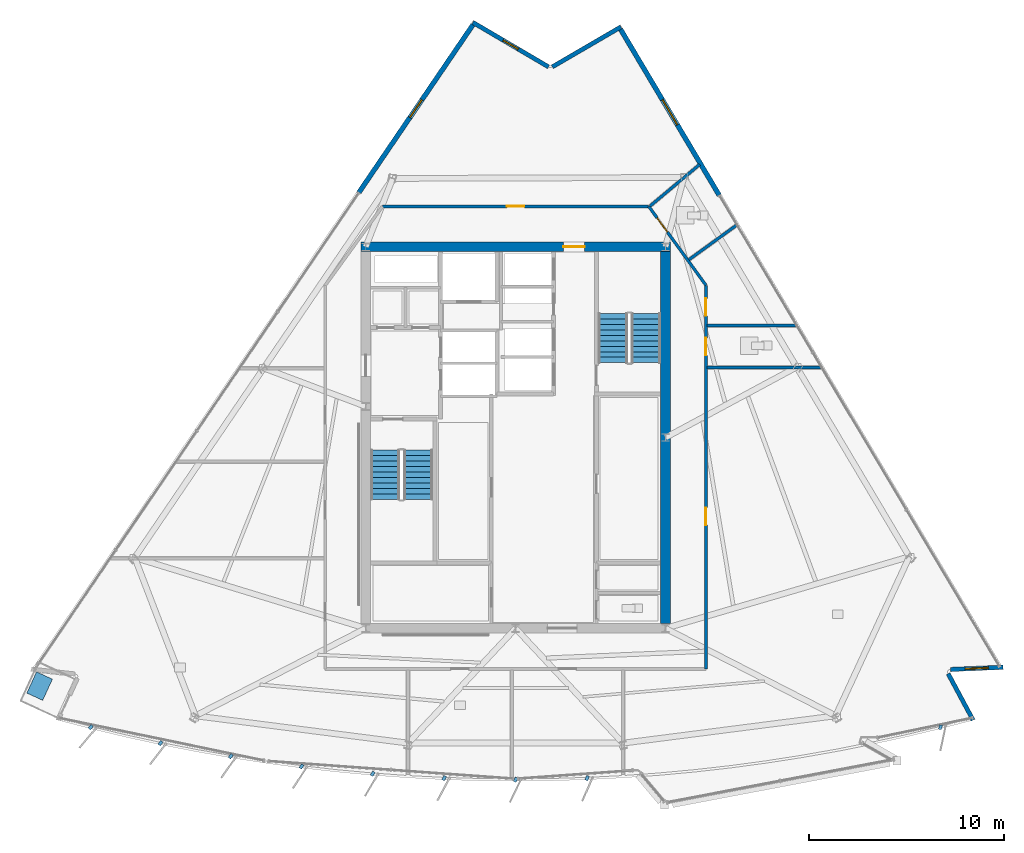
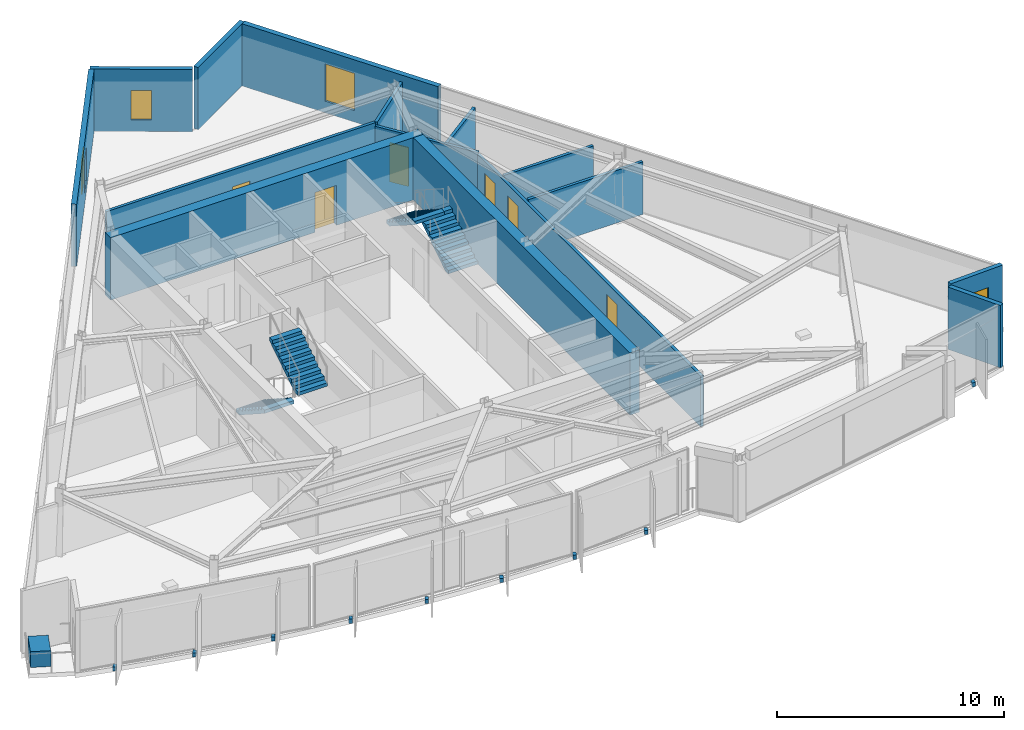
# One storey, part 9 of 14: 15 walls, 10 discrete accessories, 6 doors, 4 stair flights, 4 windows, 10 openings, 2 elements without a shape of their own.
"""IFC4 building model written with IfcOpenShell, lengths in metres."""

import ifcopenshell
import ifcopenshell.guid

model = None  # the IFC model being written
_history = None  # IfcOwnerHistory: only IFC2X3 demands one
_inside = {}  # id of a spatial element -> (the spatial element, [elements in it])
_under = {}  # id of a project, library or spatial element -> (it, [spatial elements below it])
_declared = {}  # id of a project -> (the project, [libraries it declares])
_typed = {}  # id of a type object -> (the type object, [elements of that type])
_made_of = {}  # id of a material, layer set ... -> (it, [elements and type objects made of it])


def new_model(schema):
    """Start an empty IFC model of exactly this schema.

    Asked for "IFC4X3", IfcOpenShell would pick the latest addendum, in which some entities
    have other attributes; the version numbers below select the first issue.
    IFC2X3 requires an IfcOwnerHistory on every rooted entity: one is made here for all.
    """
    global model, _history
    if schema == "IFC4X3":
        model = ifcopenshell.file(schema_version=(4, 3, 0, 0))
    else:
        model = ifcopenshell.file(schema=schema)
    _inside.clear()
    _under.clear()
    _declared.clear()
    _typed.clear()
    _made_of.clear()
    _history = None
    if model.schema == "IFC2X3":
        org = make("IfcOrganization", Name="unknown")
        user = make(
            "IfcPersonAndOrganization",
            ThePerson=make("IfcPerson", FamilyName="unknown"),
            TheOrganization=org,
        )
        app = make(
            "IfcApplication",
            ApplicationDeveloper=org,
            Version="unknown",
            ApplicationFullName="unknown",
            ApplicationIdentifier="unknown",
        )
        _history = make(
            "IfcOwnerHistory",
            OwningUser=user,
            OwningApplication=app,
            ChangeAction="ADDED",
            CreationDate=0,
        )
    return model


def make(cls, **values):
    """One entity of the class cls with the attributes given. An attribute that is None is left unset."""
    return model.create_entity(
        cls, **{name: value for name, value in values.items() if value is not None}
    )


def rooted(cls, **values):
    """An entity with a GlobalId (a new one), such as an element, a storey or a relation."""
    return make(cls, GlobalId=ifcopenshell.guid.new(), OwnerHistory=_history, **values)


def si_unit(unit_type, name, prefix=None):
    """IfcSIUnit, for example si_unit("LENGTHUNIT", "METRE", prefix="MILLI")."""
    return make("IfcSIUnit", UnitType=unit_type, Prefix=prefix, Name=name)


def assignment(units):
    """IfcUnitAssignment: the units of a project."""
    return None if units is None else make("IfcUnitAssignment", Units=units)


def point(xyz):
    """IfcCartesianPoint."""
    return None if xyz is None else make("IfcCartesianPoint", Coordinates=xyz)


def direction(xyz):
    """IfcDirection."""
    return None if xyz is None else make("IfcDirection", DirectionRatios=xyz)


def frame(location, z_axis=None, x_axis=None):
    """IfcAxis2Placement3D, a coordinate frame: its origin and axes. An axis left out is left unset."""
    return make(
        "IfcAxis2Placement3D",
        Location=point(location),
        Axis=direction(z_axis),
        RefDirection=direction(x_axis),
    )


def frame_2d(location, x_axis=None):
    """IfcAxis2Placement2D, a coordinate frame in the plane: its origin and x axis."""
    return make(
        "IfcAxis2Placement2D", Location=point(location), RefDirection=direction(x_axis)
    )


def origin():
    """The frame at (0, 0, 0) with its axes left unset."""
    return frame((0.0, 0.0, 0.0))


def origin_2d():
    """The frame at (0, 0) in the plane with its x axis left unset."""
    return frame_2d((0.0, 0.0))


def place(relative_to, where):
    """IfcLocalPlacement: puts the frame where relative to a parent placement (None: the world)."""
    return make(
        "IfcLocalPlacement", PlacementRelTo=relative_to, RelativePlacement=where
    )


def context(
    kind, dimensions, precision=None, world=None, true_north=None, identifier=None
):
    """IfcGeometricRepresentationContext, for example the 3D "Model" context."""
    return make(
        "IfcGeometricRepresentationContext",
        ContextIdentifier=identifier,
        ContextType=kind,
        CoordinateSpaceDimension=dimensions,
        Precision=precision,
        WorldCoordinateSystem=world,
        TrueNorth=true_north,
    )


def subcontext(parent, identifier, kind, view, scale=None):
    """IfcGeometricRepresentationSubContext, for example "Body" below "Model"."""
    return make(
        "IfcGeometricRepresentationSubContext",
        ContextIdentifier=identifier,
        ContextType=kind,
        ParentContext=parent,
        TargetScale=scale,
        TargetView=view,
    )


def project(units=None, contexts=None):
    """IfcProject with its units and contexts."""
    return rooted(
        "IfcProject",
        Name="project",
        RepresentationContexts=contexts,
        UnitsInContext=assignment(units),
    )


def spatial(cls, under=None, at=None, **own):
    """A site, building, storey or space (cls), placed at a placement, below another one or the project."""
    s = rooted(cls, ObjectPlacement=at, **own)
    if under is not None:
        _under.setdefault(under.id(), (under, []))[1].append(s)
    return s


def polyline(points):
    """IfcPolyline through the points."""
    return make("IfcPolyline", Points=[point(p) for p in points])


def profile(cls, at=None, kind="AREA", **sizes):
    """A parametric profile (cls). Its sizes go by their IFC names, for example OverallWidth=200.0."""
    return make(cls, ProfileType=kind, Position=at, **sizes)


def rectangle(**sizes):
    """IfcRectangleProfileDef."""
    return profile("IfcRectangleProfileDef", **sizes)


def outline(outer, holes=None, kind="AREA"):
    """IfcArbitraryClosedProfileDef: a profile drawn as a closed curve; with holes, ...WithVoids."""
    if holes is None:
        return make("IfcArbitraryClosedProfileDef", ProfileType=kind, OuterCurve=outer)
    return make(
        "IfcArbitraryProfileDefWithVoids",
        ProfileType=kind,
        OuterCurve=outer,
        InnerCurves=holes,
    )


def extrude(swept, where, along, depth):
    """IfcExtrudedAreaSolid: the profile swept, set in the frame where, extruded along a direction by depth."""
    return make(
        "IfcExtrudedAreaSolid",
        SweptArea=swept,
        Position=where,
        ExtrudedDirection=direction(along),
        Depth=depth,
    )


def shape(context_of_items, identifier, shape_type, items):
    """IfcShapeRepresentation: the items that make up one representation, for example the "Body"."""
    return make(
        "IfcShapeRepresentation",
        ContextOfItems=context_of_items,
        RepresentationIdentifier=identifier,
        RepresentationType=shape_type,
        Items=items,
    )


def material(Name=None, Category=None):
    """IfcMaterial."""
    return make("IfcMaterial", Name=Name, Category=Category)


def layer(
    of_material, thickness, ventilated=None, Name=None, Category=None, Priority=None
):
    """IfcMaterialLayer: one layer of a wall or slab, of a material (None: an air gap)."""
    return make(
        "IfcMaterialLayer",
        Material=of_material,
        LayerThickness=thickness,
        IsVentilated=ventilated,
        Name=Name,
        Category=Category,
        Priority=Priority,
    )


def layer_set(layers, Name=None):
    """IfcMaterialLayerSet."""
    return make("IfcMaterialLayerSet", MaterialLayers=layers, LayerSetName=Name)


def made_of(thing, what):
    """Note that an element or type object is made of a material, layer set ...; save() writes the relation."""
    if what is not None:
        _made_of.setdefault(what.id(), (what, []))[1].append(thing)
    return thing


def type_object(cls, material=None, **own):
    """A type object (cls), such as IfcWallType, which elements share."""
    return made_of(rooted(cls, **own), material)


def element(
    cls,
    number,
    at=None,
    inside=None,
    cuts=None,
    type_object=None,
    material=None,
    context=None,
    identifier="Body",
    shape_type=None,
    held_by="IfcProductDefinitionShape",
    body=None,
    shapes=None,
    **own,
):
    """One element of the class cls, such as IfcWall. Its Tag is "e" and its number.

    at: its placement. inside: the storey or other place that contains it. cuts: it is an
    opening in that element (IfcRelVoidsElement). A single representation is given by context,
    identifier, shape_type and body (its items); several are given by shapes. held_by: the class
    of the entity that holds the representations. save() writes the other relations.
    """
    e = rooted(cls, Tag="e%d" % number, ObjectPlacement=at, **own)
    if body is not None:
        shapes = [shape(context, identifier, shape_type, body)]
    if shapes is not None:
        e.Representation = make(held_by, Representations=shapes)
    if inside is not None:
        _inside.setdefault(inside.id(), (inside, []))[1].append(e)
    if cuts is not None:
        rooted(
            "IfcRelVoidsElement", RelatingBuildingElement=cuts, RelatedOpeningElement=e
        )
    if type_object is not None:
        _typed.setdefault(type_object.id(), (type_object, []))[1].append(e)
    return made_of(e, material)


def fill(opening, filler):
    """IfcRelFillsElement: the door or window that sits in an opening."""
    return rooted(
        "IfcRelFillsElement",
        RelatingOpeningElement=opening,
        RelatedBuildingElement=filler,
    )


def aggregate(whole, parts):
    """IfcRelAggregates: a whole, such as a stair, and the parts it consists of."""
    return rooted("IfcRelAggregates", RelatingObject=whole, RelatedObjects=parts)


def save(model, path):
    """Write the relations noted so far, then the file.

    IfcRelAggregates (storeys below a building ...), IfcRelContainedInSpatialStructure (elements
    in a storey), IfcRelDefinesByType, IfcRelAssociatesMaterial and IfcRelDeclares: one each for
    every whole, place, type object, material and project.
    """
    for whole, parts in _under.values():
        aggregate(whole, parts)
    for where, things in _inside.values():
        rooted(
            "IfcRelContainedInSpatialStructure",
            RelatedElements=things,
            RelatingStructure=where,
        )
    for kind, things in _typed.values():
        rooted("IfcRelDefinesByType", RelatedObjects=things, RelatingType=kind)
    for what, things in _made_of.values():
        rooted("IfcRelAssociatesMaterial", RelatedObjects=things, RelatingMaterial=what)
    for by, libraries in _declared.values():
        rooted("IfcRelDeclares", RelatingContext=by, RelatedDefinitions=libraries)
    model.write(path)


model = new_model("IFC4")

# Units and contexts
model_context = context("Model", 3, precision=1e-05, world=origin(), true_north=direction((0.0, 1.0)))
body_context = subcontext(model_context, "Body", "Model", "MODEL_VIEW")
ifc_project = project(units=[si_unit("LENGTHUNIT", "METRE"), si_unit("AREAUNIT", "SQUARE_METRE"), si_unit("VOLUMEUNIT", "CUBIC_METRE"), si_unit("PLANEANGLEUNIT", "RADIAN"), si_unit("MASSUNIT", "GRAM", prefix="KILO")], contexts=[model_context])

# Site, building, storey
site_placement = place(None, origin())
site = spatial("IfcSite", under=ifc_project, at=site_placement, CompositionType="ELEMENT")
building_placement = place(site_placement, origin())
building = spatial("IfcBuilding", under=site, at=building_placement, Name="Savorim Split Tower", CompositionType="ELEMENT")
storey_placement = place(building_placement, frame((0.0, 0.0, 219.89990234375)))
storey = spatial("IfcBuildingStorey", under=building, at=storey_placement, Name="L58", CompositionType="ELEMENT", Elevation=219.89990234375)

# Wall, opening, door
ifc_material_1 = material(Name="Concrete C60/75", Category="concrete")
ifc_layer_1 = layer(ifc_material_1, 0.5)
ifc_layer_set_1 = layer_set([ifc_layer_1], Name="WAL-COR-SH500")
wall_type_1 = type_object("IfcWallType", Name="WAL-COR-SH500", PredefinedType="SHEAR", material=ifc_layer_set_1)
wall_1_placement = place(storey_placement, frame((7.949951171875, 10.199951171875, 0.0), z_axis=(0.0, 0.0, 1.0), x_axis=(-1.0, 0.0, 0.0)))
wall_1 = element("IfcWall", 1, at=wall_1_placement, inside=storey, type_object=wall_type_1, Name="L58 Offset Core North Shear Wall", PredefinedType="SHEAR", context=body_context, shape_type="SweptSolid", body=[
    extrude(rectangle(XDim=15.89990234375, YDim=0.5, at=frame_2d((7.949951171875, 0.0))), origin(), (0.0, 0.0, 1.0), 3.35009765625),
])
opening_1_placement = place(wall_1_placement, frame((4.39990234375, 0.0, 0.0)))
opening_1 = element("IfcOpeningElement", 2, at=opening_1_placement, cuts=wall_1, Name="Opening DI-03", PredefinedType="OPENING", context=body_context, shape_type="SweptSolid", body=[
    extrude(rectangle(XDim=1.10009765625, YDim=2.14990234375, at=frame_2d((0.550048828125, 1.074951171875))), frame((0.0, 0.260009765625, 0.0), z_axis=(0.0, -1.0, 0.0), x_axis=(1.0, 0.0, 0.0)), (0.0, 0.0, 1.0), 0.52001953125),
])
ifc_material_2 = material(Name="Timber Fire Door Leaf", Category="wood")
door_type_1 = type_object("IfcDoorType", Name="DOR-FIR-1100", OperationType="NOTDEFINED", PredefinedType="DOOR", material=ifc_material_2)
door_1_placement = place(opening_1_placement, origin())
door_1 = element("IfcDoor", 3, at=door_1_placement, inside=storey, type_object=door_type_1, Name="DOR-L58-COR-NLOB - L58 North Corridor Lobby Fire Door", OperationType="SINGLE_SWING_LEFT", OverallHeight=2.14990234375, OverallWidth=1.10009765625, PredefinedType="DOOR", context=body_context, shape_type="SweptSolid", body=[
    extrude(rectangle(XDim=1.10009765625, YDim=2.14990234375, at=frame_2d((0.550048828125, 1.074951171875))), frame((0.0, 0.02490234375, 0.0), z_axis=(0.0, -1.0, 0.0), x_axis=(1.0, 0.0, 0.0)), (0.0, 0.0, 1.0), 0.050048828125),
])
fill(opening_1, door_1)

# Walls
wall_2_placement = place(storey_placement, frame((7.699951171875, 9.949951171875, 0.0), z_axis=(0.0, 0.0, 1.0), x_axis=(0.0, -1.0, 0.0)))
element("IfcWall", 4, at=wall_2_placement, inside=storey, type_object=wall_type_1, Name="L58 Offset Core East Shear Wall", PredefinedType="SHEAR", context=body_context, shape_type="SweptSolid", body=[
    extrude(rectangle(XDim=19.099853515625, YDim=0.5, at=frame_2d((9.5498046875, 0.0))), origin(), (0.0, 0.0, 1.0), 3.35009765625),
])
ifc_material_3 = material(Name="Precast concrete C40/50", Category="concrete")
ifc_layer_2 = layer(ifc_material_3, 0.219970703125)
ifc_layer_set_2 = layer_set([ifc_layer_2], Name="WAL-EXT-CRN220")
wall_type_2 = type_object("IfcWallType", Name="WAL-EXT-CRN220", PredefinedType="SOLIDWALL", material=ifc_layer_set_2)
wall_3_placement = place(storey_placement, frame((22.22412109375, -11.72705078125, 0.0), z_axis=(0.0, 0.0, 1.0), x_axis=(0.47278184311, -0.881179509989, 0.0)))
element("IfcWall", 5, at=wall_3_placement, inside=storey, type_object=wall_type_2, Name="L58 Notched Corner Facade Wall SE1", PredefinedType="SOLIDWALL", context=body_context, shape_type="SweptSolid", body=[
    extrude(rectangle(XDim=2.70751953125, YDim=0.219970703125, at=frame_2d((1.353759765625, 0.0))), origin(), (0.0, 0.0, 1.0), 3.35009765625),
])

# Wall, opening, window
wall_4_placement = place(storey_placement, frame((25.048095703125, -11.3984375, 0.0), z_axis=(0.0, 0.0, 1.0), x_axis=(-0.999095922254, -0.042512799655, 0.0)))
wall_4 = element("IfcWall", 6, at=wall_4_placement, inside=storey, type_object=wall_type_2, Name="L58 Notched Corner Facade Wall SE", PredefinedType="SOLIDWALL", context=body_context, shape_type="SweptSolid", body=[
    extrude(rectangle(XDim=2.704833984375, YDim=0.219970703125, at=frame_2d((1.3525390625, 0.0))), origin(), (0.0, 0.0, 1.0), 3.35009765625),
])
opening_2_placement = place(wall_4_placement, frame((0.75244140625, 0.0, 0.6201171875)))
opening_2 = element("IfcOpeningElement", 7, at=opening_2_placement, cuts=wall_4, Name="Opening WN-08", PredefinedType="OPENING", context=body_context, shape_type="SweptSolid", body=[
    extrude(rectangle(XDim=1.199951171875, YDim=1.800048828125, at=frame_2d((0.60009765625, 0.89990234375))), frame((0.0, 0.119873046875, 0.0), z_axis=(0.0, -1.0, 0.0), x_axis=(1.0, 0.0, 0.0)), (0.0, 0.0, 1.0), 0.239990234375),
])
ifc_material_4 = material(Name="Low-E Operable Double Glazing", Category="glass")
window_type_1 = type_object("IfcWindowType", Name="WIN-TWR-1200x1800", PartitioningType="SINGLE_PANEL", PredefinedType="WINDOW", material=ifc_material_4)
window_1_placement = place(opening_2_placement, origin())
window_1 = element("IfcWindow", 8, at=window_1_placement, inside=storey, type_object=window_type_1, Name="L58 Operable Corner Window SE", OverallHeight=1.800048828125, OverallWidth=1.199951171875, PartitioningType="SINGLE_PANEL", PredefinedType="WINDOW", context=body_context, shape_type="SweptSolid", body=[
    extrude(rectangle(XDim=1.199951171875, YDim=1.800048828125, at=frame_2d((0.60009765625, 0.89990234375))), frame((0.0, 0.030029296875, 0.0), z_axis=(0.0, -1.0, 0.0), x_axis=(1.0, 0.0, 0.0)), (0.0, 0.0, 1.0), 0.06005859375),
])
fill(opening_2, window_1)

# Wall
wall_5_placement = place(storey_placement, frame((1.8837890625, 19.445068359375, 0.0), z_axis=(0.0, 0.0, 1.0), x_axis=(0.863969645804, 0.50354389196, 0.0)))
element("IfcWall", 9, at=wall_5_placement, inside=storey, type_object=wall_type_2, Name="L58 Notched Corner Facade Wall NE1", PredefinedType="SOLIDWALL", context=body_context, shape_type="SweptSolid", body=[
    extrude(rectangle(XDim=4.083740234375, YDim=0.219970703125, at=frame_2d((2.0419921875, 0.0))), origin(), (0.0, 0.0, 1.0), 3.35009765625),
])

# Wall, opening, window
wall_6_placement = place(storey_placement, frame((-2.196533203125, 21.731689453125, 0.0), z_axis=(0.0, 0.0, 1.0), x_axis=(0.862121926844, -0.506700881442, 0.0)))
wall_6 = element("IfcWall", 10, at=wall_6_placement, inside=storey, type_object=wall_type_2, Name="L58 Notched Corner Facade Wall N", PredefinedType="SOLIDWALL", context=body_context, shape_type="SweptSolid", body=[
    extrude(rectangle(XDim=4.51220703125, YDim=0.219970703125, at=frame_2d((2.256103515625, 0.0))), origin(), (0.0, 0.0, 1.0), 3.35009765625),
])
opening_3_placement = place(wall_6_placement, frame((1.80615234375, 0.0, 0.6201171875)))
opening_3 = element("IfcOpeningElement", 11, at=opening_3_placement, cuts=wall_6, Name="Opening WN-10", PredefinedType="OPENING", context=body_context, shape_type="SweptSolid", body=[
    extrude(rectangle(XDim=0.89990234375, YDim=1.60009765625, at=frame_2d((0.449951171875, 0.800048828125))), frame((0.0, 0.119873046875, 0.0), z_axis=(0.0, -1.0, 0.0), x_axis=(1.0, 0.0, 0.0)), (0.0, 0.0, 1.0), 0.239990234375),
])
window_type_2 = type_object("IfcWindowType", Name="WIN-TWR-900x1600", PartitioningType="SINGLE_PANEL", PredefinedType="WINDOW", material=ifc_material_4)
window_2_placement = place(opening_3_placement, origin())
window_2 = element("IfcWindow", 12, at=window_2_placement, inside=storey, type_object=window_type_2, Name="L58 Operable Corner Window N", OverallHeight=1.60009765625, OverallWidth=0.89990234375, PartitioningType="SINGLE_PANEL", PredefinedType="WINDOW", context=body_context, shape_type="SweptSolid", body=[
    extrude(rectangle(XDim=0.89990234375, YDim=1.60009765625, at=frame_2d((0.449951171875, 0.800048828125))), frame((0.0, 0.030029296875, 0.0), z_axis=(0.0, -1.0, 0.0), x_axis=(1.0, 0.0, 0.0)), (0.0, 0.0, 1.0), 0.06005859375),
])
fill(opening_3, window_2)

ifc_layer_3 = layer(ifc_material_3, 0.25)
ifc_layer_set_3 = layer_set([ifc_layer_3], Name="WAL-EXT-SPN250")
wall_type_3 = type_object("IfcWallType", Name="WAL-EXT-SPN250", PredefinedType="SOLIDWALL", material=ifc_layer_set_3)
wall_7_placement = place(storey_placement, frame((5.3955078125, 21.374755859375, 0.0), z_axis=(0.0, 0.0, 1.0), x_axis=(0.511082771111, -0.85953150092, 0.0)))
wall_7 = element("IfcWall", 13, at=wall_7_placement, inside=storey, type_object=wall_type_3, Name="L58 East Operable Window Pier", PredefinedType="SOLIDWALL", context=body_context, shape_type="SweptSolid", body=[
    extrude(rectangle(XDim=9.91064453125, YDim=0.25, at=frame_2d((4.955322265625, 0.0))), origin(), (0.0, 0.0, 1.0), 3.35009765625),
])
opening_4_placement = place(wall_7_placement, frame((4.205322265625, 0.0, 0.6201171875)))
opening_4 = element("IfcOpeningElement", 14, at=opening_4_placement, cuts=wall_7, Name="Opening WN-06", PredefinedType="OPENING", context=body_context, shape_type="SweptSolid", body=[
    extrude(rectangle(XDim=1.5, YDim=2.0, at=frame_2d((0.75, 1.0))), frame((0.0, 0.135009765625, 0.0), z_axis=(0.0, -1.0, 0.0), x_axis=(1.0, 0.0, 0.0)), (0.0, 0.0, 1.0), 0.27001953125),
])
window_type_3 = type_object("IfcWindowType", Name="WIN-TWR-1500x2000", PartitioningType="SINGLE_PANEL", PredefinedType="WINDOW", material=ifc_material_4)
window_3_placement = place(opening_4_placement, origin())
window_3 = element("IfcWindow", 15, at=window_3_placement, inside=storey, type_object=window_type_3, Name="L58 East Operable Ventilation Window", OverallHeight=2.0, OverallWidth=1.5, PartitioningType="SINGLE_PANEL", PredefinedType="WINDOW", context=body_context, shape_type="SweptSolid", body=[
    extrude(rectangle(XDim=1.5, YDim=2.0, at=frame_2d((0.75, 1.0))), frame((0.0, 0.030029296875, 0.0), z_axis=(0.0, -1.0, 0.0), x_axis=(1.0, 0.0, 0.0)), (0.0, 0.0, 1.0), 0.06005859375),
])
fill(opening_4, window_3)

wall_8_placement = place(storey_placement, frame((-8.05029296875, 12.998291015625, 0.0), z_axis=(0.0, 0.0, 1.0), x_axis=(0.562447281182, 0.826833148762, 0.0)))
wall_8 = element("IfcWall", 16, at=wall_8_placement, inside=storey, type_object=wall_type_3, Name="L58 West Operable Window Pier", PredefinedType="SOLIDWALL", context=body_context, shape_type="SweptSolid", body=[
    extrude(rectangle(XDim=10.41064453125, YDim=0.25, at=frame_2d((5.205322265625, 0.0))), origin(), (0.0, 0.0, 1.0), 3.35009765625),
])
opening_5_placement = place(wall_8_placement, frame((4.6552734375, 0.0, 0.6201171875)))
opening_5 = element("IfcOpeningElement", 17, at=opening_5_placement, cuts=wall_8, Name="Opening WN-09", PredefinedType="OPENING", context=body_context, shape_type="SweptSolid", body=[
    extrude(rectangle(XDim=1.10009765625, YDim=1.800048828125, at=frame_2d((0.550048828125, 0.89990234375))), frame((0.0, 0.135009765625, 0.0), z_axis=(0.0, -1.0, 0.0), x_axis=(1.0, 0.0, 0.0)), (0.0, 0.0, 1.0), 0.27001953125),
])
window_type_4 = type_object("IfcWindowType", Name="WIN-TWR-1100x1800", PartitioningType="SINGLE_PANEL", PredefinedType="WINDOW", material=ifc_material_4)
window_4_placement = place(opening_5_placement, origin())
window_4 = element("IfcWindow", 18, at=window_4_placement, inside=storey, type_object=window_type_4, Name="L58 West Operable Ventilation Window", OverallHeight=1.800048828125, OverallWidth=1.10009765625, PartitioningType="SINGLE_PANEL", PredefinedType="WINDOW", context=body_context, shape_type="SweptSolid", body=[
    extrude(rectangle(XDim=1.10009765625, YDim=1.800048828125, at=frame_2d((0.550048828125, 0.89990234375))), frame((0.0, 0.030029296875, 0.0), z_axis=(0.0, -1.0, 0.0), x_axis=(1.0, 0.0, 0.0)), (0.0, 0.0, 1.0), 0.06005859375),
])
fill(opening_5, window_4)

# Wall, opening, door
ifc_material_5 = material(Name="Acoustic Gypsum Partition Board")
ifc_layer_4 = layer(ifc_material_5, 0.14990234375)
ifc_layer_set_4 = layer_set([ifc_layer_4], Name="WAL-PAR-150")
wall_type_4 = type_object("IfcWallType", Name="WAL-PAR-150", PredefinedType="PARTITIONING", material=ifc_layer_set_4)
wall_9_placement = place(storey_placement, frame((-6.8408203125, 12.280029296875, 0.0), z_axis=(0.0, 0.0, 1.0), x_axis=(1.0, 0.0, 0.0)))
wall_9 = element("IfcWall", 19, at=wall_9_placement, inside=storey, type_object=wall_type_4, Name="L58 Partition W-L58-COR-03", PredefinedType="PARTITIONING", context=body_context, shape_type="SweptSolid", body=[
    extrude(rectangle(XDim=13.681640625, YDim=0.14990234375, at=frame_2d((6.8408203125, 0.0))), origin(), (0.0, 0.0, 1.0), 3.005126953125),
])
opening_6_placement = place(wall_9_placement, frame((6.390869140625, 0.0, 0.0)))
opening_6 = element("IfcOpeningElement", 20, at=opening_6_placement, cuts=wall_9, Name="Opening DI-06", PredefinedType="OPENING", context=body_context, shape_type="SweptSolid", body=[
    extrude(rectangle(XDim=0.89990234375, YDim=2.10009765625, at=frame_2d((0.449951171875, 1.050048828125))), frame((0.0, 0.0849609375, 0.0), z_axis=(0.0, -1.0, 0.0), x_axis=(1.0, 0.0, 0.0)), (0.0, 0.0, 1.0), 0.169921875),
])
door_type_2 = type_object("IfcDoorType", Name="DOR-FIR-900", OperationType="NOTDEFINED", PredefinedType="DOOR", material=ifc_material_2)
door_2_placement = place(opening_6_placement, origin())
door_2 = element("IfcDoor", 21, at=door_2_placement, inside=storey, type_object=door_type_2, Name="DR-L58-RM09 - L58 Co-Working Commons Entry Door", OperationType="SINGLE_SWING_RIGHT", OverallHeight=2.10009765625, OverallWidth=0.89990234375, PredefinedType="DOOR", context=body_context, shape_type="SweptSolid", body=[
    extrude(rectangle(XDim=0.89990234375, YDim=2.10009765625, at=frame_2d((0.449951171875, 1.050048828125))), frame((0.0, 0.02490234375, 0.0), z_axis=(0.0, -1.0, 0.0), x_axis=(1.0, 0.0, 0.0)), (0.0, 0.0, 1.0), 0.050048828125),
])
fill(opening_6, door_2)

wall_10_placement = place(storey_placement, frame((6.8408203125, 12.280029296875, 0.0), z_axis=(0.0, 0.0, 1.0), x_axis=(0.586956386413, -0.809618552436, 0.0)))
wall_10 = element("IfcWall", 22, at=wall_10_placement, inside=storey, type_object=wall_type_4, Name="L58 Partition W-L58-COR-04", PredefinedType="PARTITIONING", context=body_context, shape_type="SweptSolid", body=[
    extrude(rectangle(XDim=5.007568359375, YDim=0.14990234375, at=frame_2d((2.50390625, 0.0))), origin(), (0.0, 0.0, 1.0), 2.8251953125),
])
opening_7_placement = place(wall_10_placement, frame((0.734130859375, 0.0, 0.0)))
opening_7 = element("IfcOpeningElement", 23, at=opening_7_placement, cuts=wall_10, Name="Opening DI-11", PredefinedType="OPENING", context=body_context, shape_type="SweptSolid", body=[
    extrude(rectangle(XDim=0.89990234375, YDim=2.10009765625, at=frame_2d((0.449951171875, 1.050048828125))), frame((0.0, 0.0849609375, 0.0), z_axis=(0.0, -1.0, 0.0), x_axis=(1.0, 0.0, 0.0)), (0.0, 0.0, 1.0), 0.169921875),
])
ifc_material_6 = material(Name="Oak Veneer Acoustic Door")
door_type_3 = type_object("IfcDoorType", Name="DOR-WC-900", OperationType="NOTDEFINED", PredefinedType="DOOR", material=ifc_material_6)
door_3_placement = place(opening_7_placement, origin())
door_3 = element("IfcDoor", 24, at=door_3_placement, inside=storey, type_object=door_type_3, Name="DR-L58-RM08 - L58 Shared Bathroom Entry Door", OperationType="SINGLE_SWING_LEFT", OverallHeight=2.10009765625, OverallWidth=0.89990234375, PredefinedType="DOOR", context=body_context, shape_type="SweptSolid", body=[
    extrude(rectangle(XDim=0.89990234375, YDim=2.10009765625, at=frame_2d((0.449951171875, 1.050048828125))), frame((0.0, 0.02490234375, 0.0), z_axis=(0.0, -1.0, 0.0), x_axis=(1.0, 0.0, 0.0)), (0.0, 0.0, 1.0), 0.050048828125),
])
fill(opening_7, door_3)

# Wall, openings, doors
wall_11_placement = place(storey_placement, frame((9.780029296875, 8.225830078125, 0.0), z_axis=(0.0, 0.0, 1.0), x_axis=(0.0, -1.0, 0.0)))
wall_11 = element("IfcWall", 25, at=wall_11_placement, inside=storey, type_object=wall_type_4, Name="L58 Partition W-L58-COR-05", PredefinedType="PARTITIONING", context=body_context, shape_type="SweptSolid", body=[
    extrude(rectangle(XDim=19.705810546875, YDim=0.14990234375, at=frame_2d((9.85302734375, 0.0))), origin(), (0.0, 0.0, 1.0), 2.72509765625),
])
opening_8_placement = place(wall_11_placement, frame((11.423828125, 0.0, 0.0)))
opening_8 = element("IfcOpeningElement", 26, at=opening_8_placement, cuts=wall_11, Name="Opening DI-06", PredefinedType="OPENING", context=body_context, shape_type="SweptSolid", body=[
    extrude(rectangle(XDim=0.89990234375, YDim=2.10009765625, at=frame_2d((0.449951171875, 1.050048828125))), frame((0.0, 0.0849609375, 0.0), z_axis=(0.0, -1.0, 0.0), x_axis=(1.0, 0.0, 0.0)), (0.0, 0.0, 1.0), 0.169921875),
])
opening_9_placement = place(wall_11_placement, frame((2.697509765625, 0.0, 0.0)))
opening_9 = element("IfcOpeningElement", 27, at=opening_9_placement, cuts=wall_11, Name="Opening DI-11", PredefinedType="OPENING", context=body_context, shape_type="SweptSolid", body=[
    extrude(rectangle(XDim=0.89990234375, YDim=2.10009765625, at=frame_2d((0.449951171875, 1.050048828125))), frame((0.0, 0.0849609375, 0.0), z_axis=(0.0, -1.0, 0.0), x_axis=(1.0, 0.0, 0.0)), (0.0, 0.0, 1.0), 0.169921875),
])
opening_10_placement = place(wall_11_placement, frame((0.6767578125, 0.0, 0.0)))
opening_10 = element("IfcOpeningElement", 28, at=opening_10_placement, cuts=wall_11, Name="Opening DI-06", PredefinedType="OPENING", context=body_context, shape_type="SweptSolid", body=[
    extrude(rectangle(XDim=0.89990234375, YDim=2.10009765625, at=frame_2d((0.449951171875, 1.050048828125))), frame((0.0, 0.0849609375, 0.0), z_axis=(0.0, -1.0, 0.0), x_axis=(1.0, 0.0, 0.0)), (0.0, 0.0, 1.0), 0.169921875),
])
door_4_placement = place(opening_8_placement, origin())
door_4 = element("IfcDoor", 29, at=door_4_placement, inside=storey, type_object=door_type_2, Name="DR-L58-RM05 - L58 Community Laundry Room Entry Door", OperationType="SINGLE_SWING_RIGHT", OverallHeight=2.10009765625, OverallWidth=0.89990234375, PredefinedType="DOOR", context=body_context, shape_type="SweptSolid", body=[
    extrude(rectangle(XDim=0.89990234375, YDim=2.10009765625, at=frame_2d((0.449951171875, 1.050048828125))), frame((0.0, 0.02490234375, 0.0), z_axis=(0.0, -1.0, 0.0), x_axis=(1.0, 0.0, 0.0)), (0.0, 0.0, 1.0), 0.050048828125),
])
fill(opening_8, door_4)
door_5_placement = place(opening_10_placement, origin())
door_5 = element("IfcDoor", 30, at=door_5_placement, inside=storey, type_object=door_type_2, Name="DR-L58-RM07 - L58 Co-Living Bedroom Entry Door", OperationType="SINGLE_SWING_RIGHT", OverallHeight=2.10009765625, OverallWidth=0.89990234375, PredefinedType="DOOR", context=body_context, shape_type="SweptSolid", body=[
    extrude(rectangle(XDim=0.89990234375, YDim=2.10009765625, at=frame_2d((0.449951171875, 1.050048828125))), frame((0.0, 0.02490234375, 0.0), z_axis=(0.0, -1.0, 0.0), x_axis=(1.0, 0.0, 0.0)), (0.0, 0.0, 1.0), 0.050048828125),
])
fill(opening_10, door_5)
door_6_placement = place(opening_9_placement, origin())
door_6 = element("IfcDoor", 31, at=door_6_placement, inside=storey, type_object=door_type_3, Name="DR-L58-RM06 - L58 Shared Bathroom Entry Door", OperationType="SINGLE_SWING_LEFT", OverallHeight=2.10009765625, OverallWidth=0.89990234375, PredefinedType="DOOR", context=body_context, shape_type="SweptSolid", body=[
    extrude(rectangle(XDim=0.89990234375, YDim=2.10009765625, at=frame_2d((0.449951171875, 1.050048828125))), frame((0.0, 0.02490234375, 0.0), z_axis=(0.0, -1.0, 0.0), x_axis=(1.0, 0.0, 0.0)), (0.0, 0.0, 1.0), 0.050048828125),
])
fill(opening_9, door_6)

# Walls
wall_12_placement = place(storey_placement, frame((9.840087890625, 4.006103515625, 0.0), z_axis=(0.0, 0.0, 1.0), x_axis=(1.0, 0.0, 0.0)))
element("IfcWall", 32, at=wall_12_placement, inside=storey, type_object=wall_type_4, Name="L58 Partition W-L58-PRAD06", PredefinedType="PARTITIONING", context=body_context, shape_type="SweptSolid", body=[
    extrude(rectangle(XDim=5.8251953125, YDim=0.14990234375, at=frame_2d((2.91259765625, 0.0))), origin(), (0.0, 0.0, 1.0), 2.8251953125),
])
wall_13_placement = place(storey_placement, frame((6.90478515625, 12.29248046875, 0.0), z_axis=(0.0, 0.0, 1.0), x_axis=(0.766305376551, 0.642476513088, 0.0)))
element("IfcWall", 33, at=wall_13_placement, inside=storey, type_object=wall_type_4, Name="L58 Partition W-L58-PRAD07", PredefinedType="PARTITIONING", context=body_context, shape_type="SweptSolid", body=[
    extrude(rectangle(XDim=3.337890625, YDim=0.14990234375, at=frame_2d((1.6689453125, 0.0))), origin(), (0.0, 0.0, 1.0), 2.97509765625),
])
wall_14_placement = place(storey_placement, frame((8.90283203125, 9.5380859375, 0.0), z_axis=(0.0, 0.0, 1.0), x_axis=(0.809591090344, 0.586994264397, 0.0)))
element("IfcWall", 34, at=wall_14_placement, inside=storey, type_object=wall_type_4, Name="L58 Partition W-L58-SUB03", PredefinedType="PARTITIONING", context=body_context, shape_type="SweptSolid", body=[
    extrude(rectangle(XDim=2.99755859375, YDim=0.14990234375, at=frame_2d((1.498779296875, 0.0))), origin(), (0.0, 0.0, 1.0), 2.8251953125),
])
wall_15_placement = place(storey_placement, frame((9.840087890625, 6.150390625, 0.0), z_axis=(0.0, 0.0, 1.0), x_axis=(1.0, 0.0, 0.0)))
element("IfcWall", 35, at=wall_15_placement, inside=storey, type_object=wall_type_4, Name="L58 Partition W-L58-SUB04", PredefinedType="PARTITIONING", context=body_context, shape_type="SweptSolid", body=[
    extrude(rectangle(XDim=4.550048828125, YDim=0.14990234375, at=frame_2d((2.27490234375, 0.0))), origin(), (0.0, 0.0, 1.0), 2.8251953125),
])

# Stair, stair flights
ifc_material_7 = material(Name="Concrete C50/60", Category="concrete")
stair_type = type_object("IfcStairType", Name="STR-DOG-3600", PredefinedType="HALF_TURN_STAIR", material=ifc_material_7)
stair_1_placement = place(storey_placement, origin())
stair_1 = element("IfcStair", 36, at=stair_1_placement, inside=storey, type_object=stair_type, Name="L58 Core Protected Exit Stair ST-1", PredefinedType="HALF_TURN_STAIR")
stair_flight_type = type_object("IfcStairFlightType", Name="SFL-DOG-3600", PredefinedType="STRAIGHT", material=ifc_material_7)
stair_flight_1_placement = place(storey_placement, frame((-6.699951171875, -0.25, 0.0), z_axis=(0.0, 0.0, 1.0), x_axis=(0.0, -1.0, 0.0)))
stair_flight_1 = element("IfcStairFlight", 37, at=stair_flight_1_placement, type_object=stair_flight_type, Name="ST-1 flight 1", NumberOfRisers=10, NumberOfTreads=9, PredefinedType="STRAIGHT", RiserHeight=0.18, TreadLength=0.28, context=body_context, shape_type="SweptSolid", body=[
    extrude(outline(polyline([(0.0, 0.0), (0.0, 0.179931640625), (0.280029296875, 0.179931640625), (0.280029296875, 0.360107421875), (0.56005859375, 0.360107421875), (0.56005859375, 0.5400390625), (0.840087890625, 0.5400390625), (0.840087890625, 0.719970703125), (1.1201171875, 0.719970703125), (1.1201171875, 0.89990234375), (1.39990234375, 0.89990234375), (1.39990234375, 1.080078125), (1.679931640625, 1.080078125), (1.679931640625, 1.260009765625), (1.9599609375, 1.260009765625), (1.9599609375, 1.43994140625), (2.239990234375, 1.43994140625), (2.239990234375, 1.6201171875), (2.52001953125, 1.6201171875), (2.52001953125, 1.800048828125), (2.52001953125, 1.44189453125), (0.277099609375, 0.0), (0.0, 0.0)])), frame((0.0, 0.75, 0.0), z_axis=(0.0, -1.0, 0.0), x_axis=(1.0, 0.0, 0.0)), (0.0, 0.0, 1.0), 1.5),
])
stair_flight_2_placement = place(storey_placement, frame((-5.0, -2.77001953125, 1.800048828125), z_axis=(0.0, 0.0, 1.0), x_axis=(0.0, 1.0, 0.0)))
stair_flight_2 = element("IfcStairFlight", 38, at=stair_flight_2_placement, type_object=stair_flight_type, Name="ST-1 flight 2", NumberOfRisers=10, NumberOfTreads=9, PredefinedType="STRAIGHT", RiserHeight=0.18, TreadLength=0.28, context=body_context, shape_type="SweptSolid", body=[
    extrude(outline(polyline([(0.0, 0.0), (0.0, 0.179931640625), (0.280029296875, 0.179931640625), (0.280029296875, 0.360107421875), (0.56005859375, 0.360107421875), (0.56005859375, 0.5400390625), (0.840087890625, 0.5400390625), (0.840087890625, 0.719970703125), (1.1201171875, 0.719970703125), (1.1201171875, 0.89990234375), (1.39990234375, 0.89990234375), (1.39990234375, 1.080078125), (1.679931640625, 1.080078125), (1.679931640625, 1.260009765625), (1.9599609375, 1.260009765625), (1.9599609375, 1.43994140625), (2.239990234375, 1.43994140625), (2.239990234375, 1.6201171875), (2.52001953125, 1.6201171875), (2.52001953125, 1.800048828125), (2.52001953125, 1.44189453125), (0.277099609375, 0.0), (0.0, 0.0)])), frame((0.0, 0.75, 0.0), z_axis=(0.0, -1.0, 0.0), x_axis=(1.0, 0.0, 0.0)), (0.0, 0.0, 1.0), 1.5),
])
aggregate(stair_1, [stair_flight_1, stair_flight_2])

stair_2_placement = place(storey_placement, origin())
stair_2 = element("IfcStair", 39, at=stair_2_placement, inside=storey, type_object=stair_type, Name="L58 Core Protected Exit Stair ST-2", PredefinedType="HALF_TURN_STAIR")
stair_flight_3_placement = place(storey_placement, frame((6.699951171875, 4.25, 0.0), z_axis=(0.0, 0.0, 1.0), x_axis=(0.0, 1.0, 0.0)))
stair_flight_3 = element("IfcStairFlight", 40, at=stair_flight_3_placement, type_object=stair_flight_type, Name="ST-2 flight 1", NumberOfRisers=10, NumberOfTreads=9, PredefinedType="STRAIGHT", RiserHeight=0.18, TreadLength=0.28, context=body_context, shape_type="SweptSolid", body=[
    extrude(outline(polyline([(0.0, 0.0), (0.0, 0.179931640625), (0.280029296875, 0.179931640625), (0.280029296875, 0.360107421875), (0.56005859375, 0.360107421875), (0.56005859375, 0.5400390625), (0.840087890625, 0.5400390625), (0.840087890625, 0.719970703125), (1.1201171875, 0.719970703125), (1.1201171875, 0.89990234375), (1.39990234375, 0.89990234375), (1.39990234375, 1.080078125), (1.679931640625, 1.080078125), (1.679931640625, 1.260009765625), (1.9599609375, 1.260009765625), (1.9599609375, 1.43994140625), (2.239990234375, 1.43994140625), (2.239990234375, 1.6201171875), (2.52001953125, 1.6201171875), (2.52001953125, 1.800048828125), (2.52001953125, 1.44189453125), (0.277099609375, 0.0), (0.0, 0.0)])), frame((0.0, 0.75, 0.0), z_axis=(0.0, -1.0, 0.0), x_axis=(1.0, 0.0, 0.0)), (0.0, 0.0, 1.0), 1.5),
])
stair_flight_4_placement = place(storey_placement, frame((5.0, 6.77001953125, 1.800048828125), z_axis=(0.0, 0.0, 1.0), x_axis=(0.0, -1.0, 0.0)))
stair_flight_4 = element("IfcStairFlight", 41, at=stair_flight_4_placement, type_object=stair_flight_type, Name="ST-2 flight 2", NumberOfRisers=10, NumberOfTreads=9, PredefinedType="STRAIGHT", RiserHeight=0.18, TreadLength=0.28, context=body_context, shape_type="SweptSolid", body=[
    extrude(outline(polyline([(0.0, 0.0), (0.0, 0.179931640625), (0.280029296875, 0.179931640625), (0.280029296875, 0.360107421875), (0.56005859375, 0.360107421875), (0.56005859375, 0.5400390625), (0.840087890625, 0.5400390625), (0.840087890625, 0.719970703125), (1.1201171875, 0.719970703125), (1.1201171875, 0.89990234375), (1.39990234375, 0.89990234375), (1.39990234375, 1.080078125), (1.679931640625, 1.080078125), (1.679931640625, 1.260009765625), (1.9599609375, 1.260009765625), (1.9599609375, 1.43994140625), (2.239990234375, 1.43994140625), (2.239990234375, 1.6201171875), (2.52001953125, 1.6201171875), (2.52001953125, 1.800048828125), (2.52001953125, 1.44189453125), (0.277099609375, 0.0), (0.0, 0.0)])), frame((0.0, 0.75, 0.0), z_axis=(0.0, -1.0, 0.0), x_axis=(1.0, 0.0, 0.0)), (0.0, 0.0, 1.0), 1.5),
])
aggregate(stair_2, [stair_flight_3, stair_flight_4])

# Discrete accessories
ifc_material_8 = material(Name="Steel S355", Category="steel")
discrete_accessory_type_1 = type_object("IfcDiscreteAccessoryType", Name="ACC-BRK-FIN", PredefinedType="BRACKET", material=ifc_material_8)
for number, where, z_axis, x_axis, name in (
    (42, (-21.830078125, -14.47900390625, -0.18994140625), (0.0, 0.0, 1.0), (-0.643719022682, -0.765261928909, 0.0), "L58 Fin Slab-Edge Cleat Bracket 01"),
    (43, (-18.247802734375, -15.29931640625, -0.18994140625), (0.0, 0.0, 1.0), (-0.611868076908, -0.790959832394, 0.0), "L58 Fin Slab-Edge Cleat Bracket 02"),
    (44, (-14.635009765625, -15.97216796875, -0.18994140625), (0.0, 0.0, 1.0), (-0.578993757737, -0.815331974414, 0.0), "L58 Fin Slab-Edge Cleat Bracket 03"),
    (45, (-10.997802734375, -16.496826171875, -0.18994140625), (0.0, 0.0, 1.0), (-0.545148321708, -0.838339613366, 0.0), "L58 Fin Slab-Edge Cleat Bracket 04"),
    (46, (-7.342041015625, -16.8720703125, -0.18994140625), (0.0, 0.0, 1.0), (-0.510391336723, -0.859942255851, 0.0), "L58 Fin Slab-Edge Cleat Bracket 05"),
    (47, (-3.674072265625, -17.09765625, -0.18994140625), (0.0, 0.0, 1.0), (-0.474778051978, -0.880105562623, 0.0), "L58 Fin Slab-Edge Cleat Bracket 06"),
    (48, (0.0, -17.1728515625, -0.18994140625), (0.0, 0.0, 1.0), (-0.438371146789, -0.898794046299, 0.0), "L58 Fin Slab-Edge Cleat Bracket 07"),
    (49, (3.674072265625, -17.09765625, -0.18994140625), (0.0, 0.0, 1.0), (-0.401230091723, -0.915977299662, 0.0), "L58 Fin Slab-Edge Cleat Bracket 08"),
    (50, (21.830078125, -14.47900390625, -0.18994140625), (0.0, 0.0, 1.0), (-0.206721626106, -0.978399800337, 0.0), "L58 Fin Slab-Edge Cleat Bracket 13"),
):
    element("IfcDiscreteAccessory", number, at=place(storey_placement, frame(where, z_axis=z_axis, x_axis=x_axis)), inside=storey, type_object=discrete_accessory_type_1, Name=name, PredefinedType="BRACKET", context=body_context, shape_type="SweptSolid", body=[
        extrude(rectangle(XDim=0.239990234375, YDim=0.159912109375, at=origin_2d()), origin(), (0.0, 0.0, 1.0), 0.219970703125),
    ])
ifc_material_9 = material(Name="Architectural Precast Planter Concrete C40/50", Category="concrete")
discrete_accessory_type_2 = type_object("IfcDiscreteAccessoryType", Name="ACC-PLN-TREE", PredefinedType="USERDEFINED", material=ifc_material_9)
discrete_accessory_placement = place(storey_placement, frame((-24.455322265625, -12.369140625, 0.0), z_axis=(0.0, 0.0, 1.0), x_axis=(-0.417518200908, -0.908668559988, 0.0)))
element("IfcDiscreteAccessory", 51, at=discrete_accessory_placement, inside=storey, type_object=discrete_accessory_type_2, Name="L58 Balcony Precast Tree Planter SW", ObjectType="PLANTER", PredefinedType="USERDEFINED", context=body_context, shape_type="SweptSolid", body=[
    extrude(rectangle(XDim=1.199951171875, YDim=0.89990234375, at=origin_2d()), origin(), (0.0, 0.0, 1.0), 0.85009765625),
])

save(model, "model.ifc")
